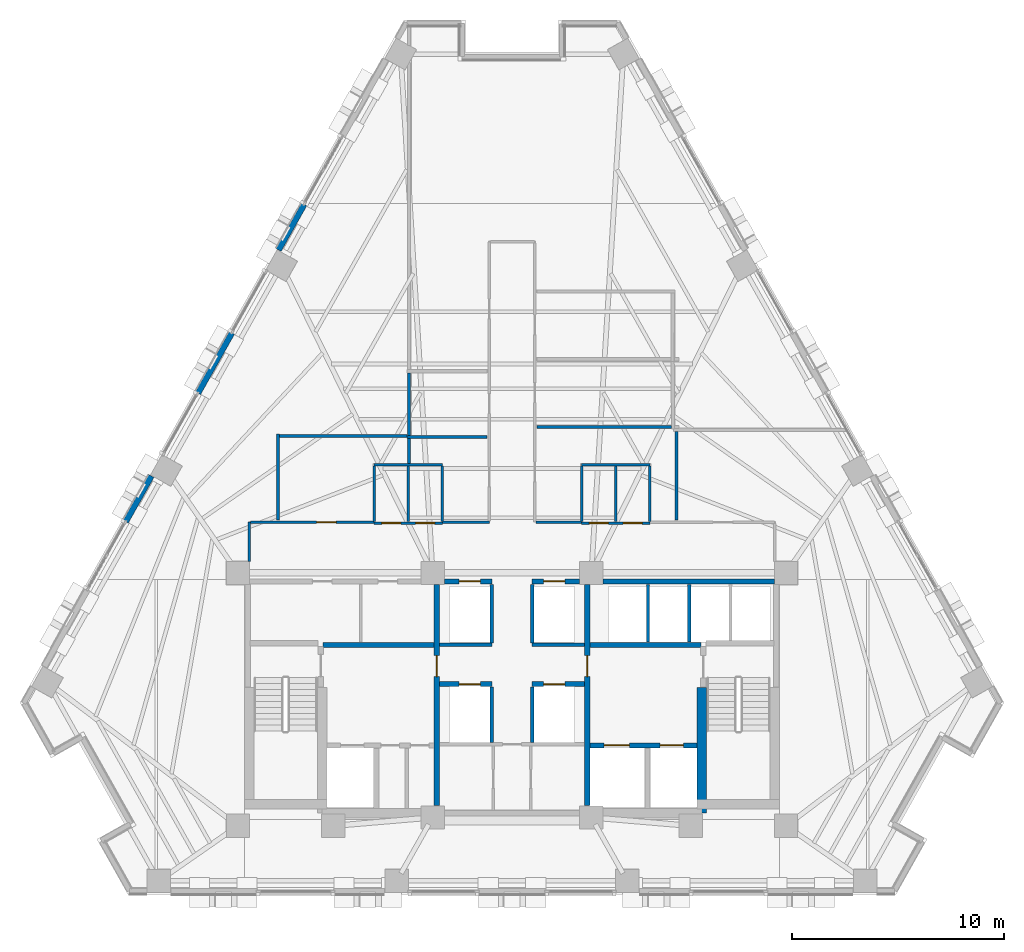
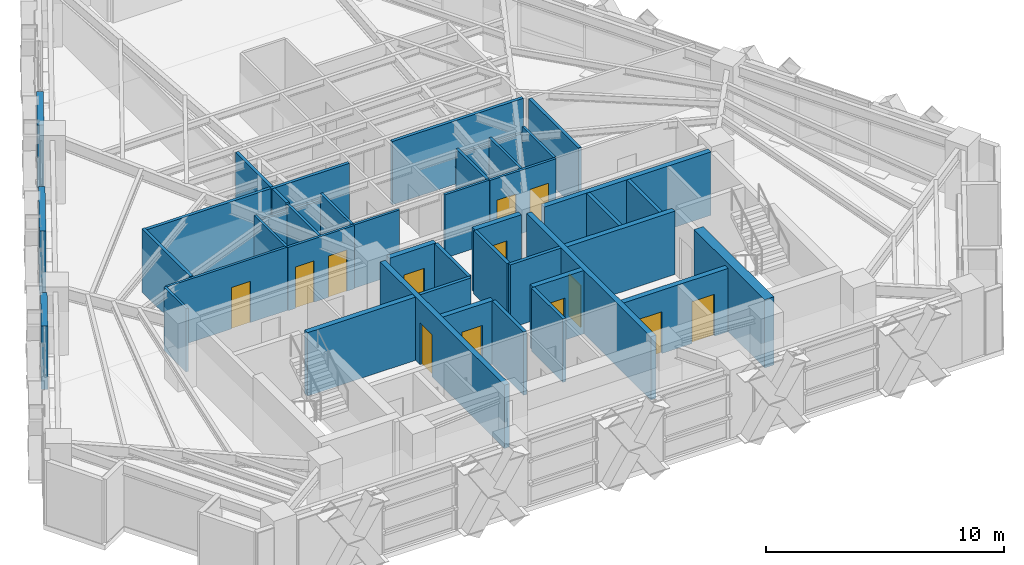
# One storey, part 8 of 14: 43 walls, 13 doors, 13 openings.
"""IFC4 building model written with IfcOpenShell, lengths in metres."""

from ifc_helpers import new_model, si_unit, direction, frame, frame_2d, origin, place, context, subcontext, project, spatial, rectangle, extrude, material, layer, layer_set, type_object, element, fill, save


model = new_model("IFC4")

# Units and contexts
model_context = context("Model", 3, precision=1e-05, world=origin(), true_north=direction((0.0, 1.0)))
body_context = subcontext(model_context, "Body", "Model", "MODEL_VIEW")
ifc_project = project(units=[si_unit("LENGTHUNIT", "METRE"), si_unit("AREAUNIT", "SQUARE_METRE"), si_unit("VOLUMEUNIT", "CUBIC_METRE"), si_unit("PLANEANGLEUNIT", "RADIAN"), si_unit("MASSUNIT", "GRAM", prefix="KILO")], contexts=[model_context])

# Site, building, storey
site_placement = place(None, origin())
site = spatial("IfcSite", under=ifc_project, at=site_placement, CompositionType="ELEMENT")
building_placement = place(site_placement, origin())
building = spatial("IfcBuilding", under=site, at=building_placement, Name="Quenlor Broadcast Tower", CompositionType="ELEMENT")
storey_placement = place(building_placement, frame((0.0, 0.0, 112.5)))
storey = spatial("IfcBuildingStorey", under=building, at=storey_placement, Name="L30", CompositionType="ELEMENT", Elevation=112.5)

# Walls
ifc_material_1 = material(Name="Acoustic Double Stud Gypsum Partition", Category="other")
ifc_layer_1 = layer(ifc_material_1, 0.14990234375)
ifc_layer_set_1 = layer_set([ifc_layer_1], Name="Broadcast Studio Acoustic Partition 150")
wall_type_1 = type_object("IfcWallType", Name="Broadcast Studio Acoustic Partition 150", PredefinedType="PARTITIONING", material=ifc_layer_set_1)
wall_1_placement = place(storey_placement, frame((7.527587890625, 2.10009765625, 0.0), z_axis=(0.0, 0.0, 1.0), x_axis=(-1.0, 0.0, 0.0)))
element("IfcWall", 1, at=wall_1_placement, inside=storey, type_object=wall_type_1, Name="L30 Interior Wall PW-DV-08S2", PredefinedType="PARTITIONING", context=body_context, shape_type="SweptSolid", body=[
    extrude(rectangle(XDim=6.34765625, YDim=0.14990234375, at=frame_2d((3.173828125, 0.0))), origin(), (0.0, 0.0, 1.0), 3.25),
])
wall_2_placement = place(storey_placement, frame((-1.179931640625, 1.6298828125, 0.0), z_axis=(0.0, 0.0, 1.0), x_axis=(-1.0, 0.0, 0.0)))
element("IfcWall", 2, at=wall_2_placement, inside=storey, type_object=wall_type_1, Name="L30 Interior Wall PW-DV-09", PredefinedType="PARTITIONING", context=body_context, shape_type="SweptSolid", body=[
    extrude(rectangle(XDim=3.780029296875, YDim=0.14990234375, at=frame_2d((1.89013671875, 0.0))), origin(), (0.0, 0.0, 1.0), 3.25),
])
wall_3_placement = place(storey_placement, frame((-4.860107421875, 0.3720703125, 0.0), z_axis=(0.0, 0.0, 1.0), x_axis=(0.0, 1.0, 0.0)))
element("IfcWall", 3, at=wall_3_placement, inside=storey, type_object=wall_type_1, Name="L30 Interior Wall PW-DV-10", PredefinedType="PARTITIONING", context=body_context, shape_type="SweptSolid", body=[
    extrude(rectangle(XDim=1.180908203125, YDim=0.14990234375, at=frame_2d((0.59033203125, 0.0))), origin(), (0.0, 0.0, 1.0), 3.25),
])
wall_4_placement = place(storey_placement, frame((-4.860107421875, 1.70703125, 0.0), z_axis=(0.0, 0.0, 1.0), x_axis=(0.0, 1.0, 0.0)))
element("IfcWall", 4, at=wall_4_placement, inside=storey, type_object=wall_type_1, Name="L30 Interior Wall PW-DV-10S2", PredefinedType="PARTITIONING", context=body_context, shape_type="SweptSolid", body=[
    extrude(rectangle(XDim=2.946044921875, YDim=0.14990234375, at=frame_2d((1.47314453125, 0.0))), origin(), (0.0, 0.0, 1.0), 3.25),
])
wall_5_placement = place(storey_placement, frame((7.780029296875, 1.887451171875, 0.0), z_axis=(0.0, 0.0, 1.0), x_axis=(0.0, -1.0, 0.0)))
element("IfcWall", 5, at=wall_5_placement, inside=storey, type_object=wall_type_1, Name="L30 Interior Wall PW-DV-11", PredefinedType="PARTITIONING", context=body_context, shape_type="SweptSolid", body=[
    extrude(rectangle(XDim=4.177490234375, YDim=0.14990234375, at=frame_2d((2.0888671875, 0.0))), origin(), (0.0, 0.0, 1.0), 3.25),
])
wall_6_placement = place(storey_placement, frame((-11.06005859375, -2.2900390625, 0.0), z_axis=(0.0, 0.0, 1.0), x_axis=(0.0, 1.0, 0.0)))
element("IfcWall", 6, at=wall_6_placement, inside=storey, type_object=wall_type_1, Name="L30 Interior Wall PW-DV-13", PredefinedType="PARTITIONING", context=body_context, shape_type="SweptSolid", body=[
    extrude(rectangle(XDim=4.06005859375, YDim=0.14990234375, at=frame_2d((2.030029296875, 0.0))), origin(), (0.0, 0.0, 1.0), 3.25),
])
wall_7_placement = place(storey_placement, frame((-10.98291015625, 1.669921875, 0.0), z_axis=(0.0, 0.0, 1.0), x_axis=(1.0, 0.0, 0.0)))
element("IfcWall", 7, at=wall_7_placement, inside=storey, type_object=wall_type_1, Name="L30 Interior Wall PW-DV-14", PredefinedType="PARTITIONING", context=body_context, shape_type="SweptSolid", body=[
    extrude(rectangle(XDim=6.02099609375, YDim=0.14990234375, at=frame_2d((3.010498046875, 0.0))), origin(), (0.0, 0.0, 1.0), 3.25),
])
ifc_material_2 = material(Name="Concrete C50/60", Category="concrete")
ifc_layer_2 = layer(ifc_material_2, 0.449951171875)
ifc_layer_set_2 = layer_set([ifc_layer_2], Name="Core Concrete C50/60 Shear Wall 450")
wall_type_2 = type_object("IfcWallType", Name="Core Concrete C50/60 Shear Wall 450", PredefinedType="SHEAR", material=ifc_layer_set_2)
wall_8_placement = place(storey_placement, frame((8.97509765625, -16.14990234375, 0.0), z_axis=(0.0, 0.0, 1.0), x_axis=(0.0, 1.0, 0.0)))
element("IfcWall", 8, at=wall_8_placement, inside=storey, type_object=wall_type_2, Name="L30 Core Shear Wall WI-E", PredefinedType="SHEAR", context=body_context, shape_type="SweptSolid", body=[
    extrude(rectangle(XDim=5.949951171875, YDim=0.449951171875, at=frame_2d((2.97509765625, 0.0))), origin(), (0.0, 0.0, 1.0), 3.5),
])

# Wall, openings, doors
ifc_material_3 = material(Name="Concrete C40/50", Category="concrete")
ifc_layer_3 = layer(ifc_material_3, 0.25)
ifc_layer_set_3 = layer_set([ifc_layer_3], Name="Fire Rated Concrete C40/50 Core Wall 250")
wall_type_3 = type_object("IfcWallType", Name="Fire Rated Concrete C40/50 Core Wall 250", PredefinedType="PARTITIONING", material=ifc_layer_set_3)
wall_9_placement = place(storey_placement, frame((3.679931640625, -12.949951171875, 0.0), z_axis=(0.0, 0.0, 1.0), x_axis=(1.0, 0.0, 0.0)))
wall_9 = element("IfcWall", 9, at=wall_9_placement, inside=storey, type_object=wall_type_3, Name="L30 Interior Wall CW-FFE-S", PredefinedType="PARTITIONING", context=body_context, shape_type="SweptSolid", body=[
    extrude(rectangle(XDim=5.068115234375, YDim=0.25, at=frame_2d((2.5341796875, 0.0))), origin(), (0.0, 0.0, 1.0), 3.25),
])
opening_1_placement = place(wall_9_placement, frame((3.320068359375, 0.0, 0.0)))
opening_1 = element("IfcOpeningElement", 10, at=opening_1_placement, cuts=wall_9, Name="Opening LD-FFL-2", PredefinedType="OPENING", context=body_context, shape_type="SweptSolid", body=[
    extrude(rectangle(XDim=1.10009765625, YDim=2.14990234375, at=frame_2d((0.550048828125, 1.074951171875))), frame((0.0, 0.135009765625, 0.0), z_axis=(0.0, -1.0, 0.0), x_axis=(1.0, 0.0, 0.0)), (0.0, 0.0, 1.0), 0.27001953125),
])
opening_2_placement = place(wall_9_placement, frame((0.669921875, 0.0, 0.0)))
opening_2 = element("IfcOpeningElement", 11, at=opening_2_placement, cuts=wall_9, Name="Opening LD-SVL-1", PredefinedType="OPENING", context=body_context, shape_type="SweptSolid", body=[
    extrude(rectangle(XDim=1.199951171875, YDim=2.14990234375, at=frame_2d((0.60009765625, 1.074951171875))), frame((0.0, 0.135009765625, 0.0), z_axis=(0.0, -1.0, 0.0), x_axis=(1.0, 0.0, 0.0)), (0.0, 0.0, 1.0), 0.27001953125),
])
ifc_material_4 = material(Name="Brushed Stainless Steel", Category="steel")
door_type_1 = type_object("IfcDoorType", Name="Emergency Lift Sliding Landing Door 1100x2150", OperationType="NOTDEFINED", PredefinedType="DOOR", material=ifc_material_4)
door_1_placement = place(opening_1_placement, origin())
door_1 = element("IfcDoor", 12, at=door_1_placement, inside=storey, type_object=door_type_1, Name="L30 Door LD-FFL-2", OperationType="SLIDING_TO_RIGHT", OverallHeight=2.14990234375, OverallWidth=1.10009765625, PredefinedType="DOOR", context=body_context, shape_type="SweptSolid", body=[
    extrude(rectangle(XDim=1.10009765625, YDim=2.14990234375, at=frame_2d((0.550048828125, 1.074951171875))), frame((0.0, 0.02490234375, 0.0), z_axis=(0.0, -1.0, 0.0), x_axis=(1.0, 0.0, 0.0)), (0.0, 0.0, 1.0), 0.050048828125),
])
fill(opening_1, door_1)
ifc_material_5 = material(Name="Brushed Stainless Steel", Category="steel")
door_type_2 = type_object("IfcDoorType", Name="Goods Lift Sliding Landing Door 1200x2150", OperationType="NOTDEFINED", PredefinedType="DOOR", material=ifc_material_5)
door_2_placement = place(opening_2_placement, origin())
door_2 = element("IfcDoor", 13, at=door_2_placement, inside=storey, type_object=door_type_2, Name="L30 Door LD-SVL-1", OperationType="SLIDING_TO_LEFT", OverallHeight=2.14990234375, OverallWidth=1.199951171875, PredefinedType="DOOR", context=body_context, shape_type="SweptSolid", body=[
    extrude(rectangle(XDim=1.199951171875, YDim=2.14990234375, at=frame_2d((0.60009765625, 1.074951171875))), frame((0.0, 0.02490234375, 0.0), z_axis=(0.0, -1.0, 0.0), x_axis=(1.0, 0.0, 0.0)), (0.0, 0.0, 1.0), 0.050048828125),
])
fill(opening_2, door_2)

# Walls
for number, where, z_axis, x_axis, name in (
    (14, (-8.919921875, -8.199951171875, 0.0), (0.0, 0.0, 1.0), (1.0, 0.0, 0.0), "L30 Interior Wall CW-FFW-N"),
    (15, (3.679931640625, -8.199951171875, 0.0), (0.0, 0.0, 1.0), (1.0, 0.0, 0.0), "L30 Interior Wall CW-FFE-N"),
):
    element("IfcWall", number, at=place(storey_placement, frame(where, z_axis=z_axis, x_axis=x_axis)), inside=storey, type_object=wall_type_3, Name=name, PredefinedType="PARTITIONING", context=body_context, shape_type="SweptSolid", body=[
        extrude(rectangle(XDim=5.239990234375, YDim=0.25, at=frame_2d((2.6201171875, 0.0))), origin(), (0.0, 0.0, 1.0), 3.25),
    ])

# Wall, opening, door
wall_10_placement = place(storey_placement, frame((-3.550048828125, -15.798095703125, 0.0), z_axis=(0.0, 0.0, 1.0), x_axis=(0.0, 1.0, 0.0)))
wall_10 = element("IfcWall", 16, at=wall_10_placement, inside=storey, type_object=wall_type_3, Name="L30 Interior Wall CW-FFW-E", PredefinedType="PARTITIONING", context=body_context, shape_type="SweptSolid", body=[
    extrude(rectangle(XDim=10.446044921875, YDim=0.25, at=frame_2d((5.22314453125, 0.0))), origin(), (0.0, 0.0, 1.0), 3.25),
])
opening_3_placement = place(wall_10_placement, frame((6.097900390625, 0.0, 0.0)))
opening_3 = element("IfcOpeningElement", 17, at=opening_3_placement, cuts=wall_10, Name="Opening FD-2", PredefinedType="OPENING", context=body_context, shape_type="SweptSolid", body=[
    extrude(rectangle(XDim=1.0, YDim=2.14990234375, at=frame_2d((0.5, 1.074951171875))), frame((0.0, 0.135009765625, 0.0), z_axis=(0.0, -1.0, 0.0), x_axis=(1.0, 0.0, 0.0)), (0.0, 0.0, 1.0), 0.27001953125),
])
ifc_material_6 = material(Name="Fire Rated Glazed Steel Door", Category="steel")
door_type_3 = type_object("IfcDoorType", Name="Firefighting Lobby Smoke Door 1000x2150", OperationType="NOTDEFINED", PredefinedType="DOOR", material=ifc_material_6)
door_3_placement = place(opening_3_placement, origin())
door_3 = element("IfcDoor", 18, at=door_3_placement, inside=storey, type_object=door_type_3, Name="L30 Door DR-FFLW", OperationType="SINGLE_SWING_RIGHT", OverallHeight=2.14990234375, OverallWidth=1.0, PredefinedType="DOOR", context=body_context, shape_type="SweptSolid", body=[
    extrude(rectangle(XDim=1.0, YDim=2.14990234375, at=frame_2d((0.5, 1.074951171875))), frame((0.0, 0.02490234375, 0.0), z_axis=(0.0, -1.0, 0.0), x_axis=(1.0, 0.0, 0.0)), (0.0, 0.0, 1.0), 0.050048828125),
])
fill(opening_3, door_3)

wall_11_placement = place(storey_placement, frame((3.550048828125, -15.798095703125, 0.0), z_axis=(0.0, 0.0, 1.0), x_axis=(0.0, 1.0, 0.0)))
wall_11 = element("IfcWall", 19, at=wall_11_placement, inside=storey, type_object=wall_type_3, Name="L30 Interior Wall CW-FFE-W", PredefinedType="PARTITIONING", context=body_context, shape_type="SweptSolid", body=[
    extrude(rectangle(XDim=10.446044921875, YDim=0.25, at=frame_2d((5.22314453125, 0.0))), origin(), (0.0, 0.0, 1.0), 3.25),
])
opening_4_placement = place(wall_11_placement, frame((6.097900390625, 0.0, 0.0)))
opening_4 = element("IfcOpeningElement", 20, at=opening_4_placement, cuts=wall_11, Name="Opening FD-2", PredefinedType="OPENING", context=body_context, shape_type="SweptSolid", body=[
    extrude(rectangle(XDim=1.0, YDim=2.14990234375, at=frame_2d((0.5, 1.074951171875))), frame((0.0, 0.135009765625, 0.0), z_axis=(0.0, -1.0, 0.0), x_axis=(1.0, 0.0, 0.0)), (0.0, 0.0, 1.0), 0.27001953125),
])
door_4_placement = place(opening_4_placement, origin())
door_4 = element("IfcDoor", 21, at=door_4_placement, inside=storey, type_object=door_type_3, Name="L30 Door DR-FFLE", OperationType="SINGLE_SWING_LEFT", OverallHeight=2.14990234375, OverallWidth=1.0, PredefinedType="DOOR", context=body_context, shape_type="SweptSolid", body=[
    extrude(rectangle(XDim=1.0, YDim=2.14990234375, at=frame_2d((0.5, 1.074951171875))), frame((0.0, 0.02490234375, 0.0), z_axis=(0.0, -1.0, 0.0), x_axis=(1.0, 0.0, 0.0)), (0.0, 0.0, 1.0), 0.050048828125),
])
fill(opening_4, door_4)

# Wall
wall_12_placement = place(storey_placement, frame((4.302001953125, -5.199951171875, 0.0), z_axis=(0.0, 0.0, 1.0), x_axis=(1.0, 0.0, 0.0)))
element("IfcWall", 22, at=wall_12_placement, inside=storey, type_object=wall_type_3, Name="L30 Interior Wall CW-N-E", PredefinedType="PARTITIONING", context=body_context, shape_type="SweptSolid", body=[
    extrude(rectangle(XDim=8.095947265625, YDim=0.25, at=frame_2d((4.0478515625, 0.0))), origin(), (0.0, 0.0, 1.0), 3.25),
])

# Wall, opening, door
wall_13_placement = place(storey_placement, frame((-3.197998046875, -5.199951171875, 0.0), z_axis=(0.0, 0.0, 1.0), x_axis=(1.0, 0.0, 0.0)))
wall_13 = element("IfcWall", 23, at=wall_13_placement, inside=storey, type_object=wall_type_3, Name="L30 Interior Wall CW-N-M1", PredefinedType="PARTITIONING", context=body_context, shape_type="SweptSolid", body=[
    extrude(rectangle(XDim=2.248046875, YDim=0.25, at=frame_2d((1.1240234375, 0.0))), origin(), (0.0, 0.0, 1.0), 3.25),
])
opening_5_placement = place(wall_13_placement, frame((0.697998046875, 0.0, 0.0)))
opening_5 = element("IfcOpeningElement", 24, at=opening_5_placement, cuts=wall_13, Name="Opening LD-PL-M1", PredefinedType="OPENING", context=body_context, shape_type="SweptSolid", body=[
    extrude(rectangle(XDim=1.0, YDim=2.14990234375, at=frame_2d((0.5, 1.074951171875))), frame((0.0, 0.135009765625, 0.0), z_axis=(0.0, -1.0, 0.0), x_axis=(1.0, 0.0, 0.0)), (0.0, 0.0, 1.0), 0.27001953125),
])
ifc_material_7 = material(Name="Brushed Stainless Steel", Category="steel")
door_type_4 = type_object("IfcDoorType", Name="Passenger Lift Sliding Landing Door 1000x2150", OperationType="NOTDEFINED", PredefinedType="DOOR", material=ifc_material_7)
door_5_placement = place(opening_5_placement, origin())
door_5 = element("IfcDoor", 25, at=door_5_placement, inside=storey, type_object=door_type_4, Name="L30 Door LD-PL-M1", OperationType="SLIDING_TO_LEFT", OverallHeight=2.14990234375, OverallWidth=1.0, PredefinedType="DOOR", context=body_context, shape_type="SweptSolid", body=[
    extrude(rectangle(XDim=1.0, YDim=2.14990234375, at=frame_2d((0.5, 1.074951171875))), frame((0.0, 0.02490234375, 0.0), z_axis=(0.0, -1.0, 0.0), x_axis=(1.0, 0.0, 0.0)), (0.0, 0.0, 1.0), 0.050048828125),
])
fill(opening_5, door_5)

wall_14_placement = place(storey_placement, frame((0.949951171875, -5.199951171875, 0.0), z_axis=(0.0, 0.0, 1.0), x_axis=(1.0, 0.0, 0.0)))
wall_14 = element("IfcWall", 26, at=wall_14_placement, inside=storey, type_object=wall_type_3, Name="L30 Interior Wall CW-N-M2", PredefinedType="PARTITIONING", context=body_context, shape_type="SweptSolid", body=[
    extrude(rectangle(XDim=2.248046875, YDim=0.25, at=frame_2d((1.1240234375, 0.0))), origin(), (0.0, 0.0, 1.0), 3.25),
])
opening_6_placement = place(wall_14_placement, frame((0.550048828125, 0.0, 0.0)))
opening_6 = element("IfcOpeningElement", 27, at=opening_6_placement, cuts=wall_14, Name="Opening LD-PL-M2", PredefinedType="OPENING", context=body_context, shape_type="SweptSolid", body=[
    extrude(rectangle(XDim=1.0, YDim=2.14990234375, at=frame_2d((0.5, 1.074951171875))), frame((0.0, 0.135009765625, 0.0), z_axis=(0.0, -1.0, 0.0), x_axis=(1.0, 0.0, 0.0)), (0.0, 0.0, 1.0), 0.27001953125),
])
door_6_placement = place(opening_6_placement, origin())
door_6 = element("IfcDoor", 28, at=door_6_placement, inside=storey, type_object=door_type_4, Name="L30 Door LD-PL-M2", OperationType="SLIDING_TO_RIGHT", OverallHeight=2.14990234375, OverallWidth=1.0, PredefinedType="DOOR", context=body_context, shape_type="SweptSolid", body=[
    extrude(rectangle(XDim=1.0, YDim=2.14990234375, at=frame_2d((0.5, 1.074951171875))), frame((0.0, 0.02490234375, 0.0), z_axis=(0.0, -1.0, 0.0), x_axis=(1.0, 0.0, 0.0)), (0.0, 0.0, 1.0), 0.050048828125),
])
fill(opening_6, door_6)

wall_15_placement = place(storey_placement, frame((-3.419921875, -10.050048828125, 0.0), z_axis=(0.0, 0.0, 1.0), x_axis=(1.0, 0.0, 0.0)))
wall_15 = element("IfcWall", 29, at=wall_15_placement, inside=storey, type_object=wall_type_3, Name="L30 Interior Wall CW-MS-N1", PredefinedType="PARTITIONING", context=body_context, shape_type="SweptSolid", body=[
    extrude(rectangle(XDim=2.469970703125, YDim=0.25, at=frame_2d((1.23486328125, 0.0))), origin(), (0.0, 0.0, 1.0), 3.25),
])
opening_7_placement = place(wall_15_placement, frame((0.919921875, 0.0, 0.0)))
opening_7 = element("IfcOpeningElement", 30, at=opening_7_placement, cuts=wall_15, Name="Opening LD-PL-M3", PredefinedType="OPENING", context=body_context, shape_type="SweptSolid", body=[
    extrude(rectangle(XDim=1.0, YDim=2.14990234375, at=frame_2d((0.5, 1.074951171875))), frame((0.0, 0.135009765625, 0.0), z_axis=(0.0, -1.0, 0.0), x_axis=(1.0, 0.0, 0.0)), (0.0, 0.0, 1.0), 0.27001953125),
])
door_7_placement = place(opening_7_placement, origin())
door_7 = element("IfcDoor", 31, at=door_7_placement, inside=storey, type_object=door_type_4, Name="L30 Door LD-PL-M3", OperationType="SLIDING_TO_LEFT", OverallHeight=2.14990234375, OverallWidth=1.0, PredefinedType="DOOR", context=body_context, shape_type="SweptSolid", body=[
    extrude(rectangle(XDim=1.0, YDim=2.14990234375, at=frame_2d((0.5, 1.074951171875))), frame((0.0, 0.02490234375, 0.0), z_axis=(0.0, -1.0, 0.0), x_axis=(1.0, 0.0, 0.0)), (0.0, 0.0, 1.0), 0.050048828125),
])
fill(opening_7, door_7)

wall_16_placement = place(storey_placement, frame((0.949951171875, -10.050048828125, 0.0), z_axis=(0.0, 0.0, 1.0), x_axis=(1.0, 0.0, 0.0)))
wall_16 = element("IfcWall", 32, at=wall_16_placement, inside=storey, type_object=wall_type_3, Name="L30 Interior Wall CW-MS-N2", PredefinedType="PARTITIONING", context=body_context, shape_type="SweptSolid", body=[
    extrude(rectangle(XDim=2.469970703125, YDim=0.25, at=frame_2d((1.23486328125, 0.0))), origin(), (0.0, 0.0, 1.0), 3.25),
])
opening_8_placement = place(wall_16_placement, frame((0.550048828125, 0.0, 0.0)))
opening_8 = element("IfcOpeningElement", 33, at=opening_8_placement, cuts=wall_16, Name="Opening LD-PL-M4", PredefinedType="OPENING", context=body_context, shape_type="SweptSolid", body=[
    extrude(rectangle(XDim=1.0, YDim=2.14990234375, at=frame_2d((0.5, 1.074951171875))), frame((0.0, 0.135009765625, 0.0), z_axis=(0.0, -1.0, 0.0), x_axis=(1.0, 0.0, 0.0)), (0.0, 0.0, 1.0), 0.27001953125),
])
door_8_placement = place(opening_8_placement, origin())
door_8 = element("IfcDoor", 34, at=door_8_placement, inside=storey, type_object=door_type_4, Name="L30 Door LD-PL-M4", OperationType="SLIDING_TO_RIGHT", OverallHeight=2.14990234375, OverallWidth=1.0, PredefinedType="DOOR", context=body_context, shape_type="SweptSolid", body=[
    extrude(rectangle(XDim=1.0, YDim=2.14990234375, at=frame_2d((0.5, 1.074951171875))), frame((0.0, 0.02490234375, 0.0), z_axis=(0.0, -1.0, 0.0), x_axis=(1.0, 0.0, 0.0)), (0.0, 0.0, 1.0), 0.050048828125),
])
fill(opening_8, door_8)

# Walls
ifc_material_8 = material(Name="Gypsum Fireboard Partition", Category="other")
ifc_layer_4 = layer(ifc_material_8, 0.159912109375)
ifc_layer_set_4 = layer_set([ifc_layer_4], Name="Fire Rated Shaft and Corridor Partition 160")
wall_type_4 = type_object("IfcWallType", Name="Fire Rated Shaft and Corridor Partition 160", PredefinedType="PARTITIONING", material=ifc_layer_set_4)
for number, where, z_axis, x_axis, name in (
    (35, (6.425048828125, -8.072998046875, 0.0), (0.0, 0.0, 1.0), (0.0, 1.0, 0.0), "L30 Interior Wall CW-PLH-D1"),
    (36, (8.375, -8.072998046875, 0.0), (0.0, 0.0, 1.0), (0.0, 1.0, 0.0), "L30 Interior Wall CW-PLH-D2"),
):
    element("IfcWall", number, at=place(storey_placement, frame(where, z_axis=z_axis, x_axis=x_axis)), inside=storey, type_object=wall_type_4, Name=name, PredefinedType="PARTITIONING", context=body_context, shape_type="SweptSolid", body=[
        extrude(rectangle(XDim=2.73291015625, YDim=0.159912109375, at=frame_2d((1.366455078125, 0.0))), origin(), (0.0, 0.0, 1.0), 3.25),
    ])
for number, where, z_axis, x_axis, name in (
    (37, (-0.949951171875, -8.1201171875, 0.0), (0.0, 0.0, 1.0), (0.0, 1.0, 0.0), "L30 Interior Wall CW-CCRP-W"),
    (38, (0.949951171875, -8.1201171875, 0.0), (0.0, 0.0, 1.0), (0.0, 1.0, 0.0), "L30 Interior Wall CW-CCRP-E"),
):
    element("IfcWall", number, at=place(storey_placement, frame(where, z_axis=z_axis, x_axis=x_axis)), inside=storey, type_object=wall_type_4, Name=name, PredefinedType="PARTITIONING", context=body_context, shape_type="SweptSolid", body=[
        extrude(rectangle(XDim=2.780029296875, YDim=0.159912109375, at=frame_2d((1.39013671875, 0.0))), origin(), (0.0, 0.0, 1.0), 3.25),
    ])
for number, where, z_axis, x_axis, name in (
    (39, (-3.419921875, -8.199951171875, 0.0), (0.0, 0.0, 1.0), (1.0, 0.0, 0.0), "L30 Interior Wall CW-M-BACK1"),
    (40, (0.949951171875, -8.199951171875, 0.0), (0.0, 0.0, 1.0), (1.0, 0.0, 0.0), "L30 Interior Wall CW-M-BACK2"),
):
    element("IfcWall", number, at=place(storey_placement, frame(where, z_axis=z_axis, x_axis=x_axis)), inside=storey, type_object=wall_type_4, Name=name, PredefinedType="PARTITIONING", context=body_context, shape_type="SweptSolid", body=[
        extrude(rectangle(XDim=2.469970703125, YDim=0.159912109375, at=frame_2d((1.23486328125, 0.0))), origin(), (0.0, 0.0, 1.0), 3.25),
    ])
for number, where, z_axis, x_axis, name in (
    (41, (-0.949951171875, -12.818115234375, 0.0), (0.0, 0.0, 1.0), (0.0, 1.0, 0.0), "L30 Interior Wall CW-MS-W"),
    (42, (0.949951171875, -12.818115234375, 0.0), (0.0, 0.0, 1.0), (0.0, 1.0, 0.0), "L30 Interior Wall CW-MS-E"),
):
    element("IfcWall", number, at=place(storey_placement, frame(where, z_axis=z_axis, x_axis=x_axis)), inside=storey, type_object=wall_type_4, Name=name, PredefinedType="PARTITIONING", context=body_context, shape_type="SweptSolid", body=[
        extrude(rectangle(XDim=2.63818359375, YDim=0.159912109375, at=frame_2d((1.319091796875, 0.0))), origin(), (0.0, 0.0, 1.0), 3.25),
    ])

# Wall, openings, doors
ifc_material_9 = material(Name="Gypsum Plasterboard Partition", Category="other")
ifc_layer_5 = layer(ifc_material_9, 0.1201171875)
ifc_layer_set_5 = layer_set([ifc_layer_5], Name="Standard Office Partition 120")
wall_type_5 = type_object("IfcWallType", Name="Standard Office Partition 120", PredefinedType="PARTITIONING", material=ifc_layer_set_5)
wall_17_placement = place(storey_placement, frame((-6.510009765625, -2.43994140625, 0.0), z_axis=(0.0, 0.0, 1.0), x_axis=(1.0, 0.0, 0.0)))
wall_17 = element("IfcWall", 43, at=wall_17_placement, inside=storey, type_object=wall_type_5, Name="L30 Interior Wall PW-WCW-S", PredefinedType="PARTITIONING", context=body_context, shape_type="SweptSolid", body=[
    extrude(rectangle(XDim=3.219970703125, YDim=0.1201171875, at=frame_2d((1.60986328125, 0.0))), origin(), (0.0, 0.0, 1.0), 3.25),
])
opening_9_placement = place(wall_17_placement, frame((0.360107421875, 0.0, 0.0)))
opening_9 = element("IfcOpeningElement", 44, at=opening_9_placement, cuts=wall_17, Name="Opening ID-3", PredefinedType="OPENING", context=body_context, shape_type="SweptSolid", body=[
    extrude(rectangle(XDim=0.89990234375, YDim=2.1201171875, at=frame_2d((0.449951171875, 1.06005859375))), frame((0.0, 0.070068359375, 0.0), z_axis=(0.0, -1.0, 0.0), x_axis=(1.0, 0.0, 0.0)), (0.0, 0.0, 1.0), 0.14013671875),
])
opening_10_placement = place(wall_17_placement, frame((1.9599609375, 0.0, 0.0)))
opening_10 = element("IfcOpeningElement", 45, at=opening_10_placement, cuts=wall_17, Name="Opening ID-3", PredefinedType="OPENING", context=body_context, shape_type="SweptSolid", body=[
    extrude(rectangle(XDim=0.89990234375, YDim=2.1201171875, at=frame_2d((0.449951171875, 1.06005859375))), frame((0.0, 0.070068359375, 0.0), z_axis=(0.0, -1.0, 0.0), x_axis=(1.0, 0.0, 0.0)), (0.0, 0.0, 1.0), 0.14013671875),
])
ifc_material_10 = material(Name="Moisture Resistant Timber Oak", Category="wood")
door_type_5 = type_object("IfcDoorType", Name="Washroom Privacy Door 900x2120", OperationType="NOTDEFINED", PredefinedType="DOOR", material=ifc_material_10)
door_9_placement = place(opening_9_placement, origin())
door_9 = element("IfcDoor", 46, at=door_9_placement, inside=storey, type_object=door_type_5, Name="L30 Door DR-AWC", OperationType="SINGLE_SWING_LEFT", OverallHeight=2.1201171875, OverallWidth=0.89990234375, PredefinedType="DOOR", context=body_context, shape_type="SweptSolid", body=[
    extrude(rectangle(XDim=0.89990234375, YDim=2.1201171875, at=frame_2d((0.449951171875, 1.06005859375))), frame((0.0, 0.02490234375, 0.0), z_axis=(0.0, -1.0, 0.0), x_axis=(1.0, 0.0, 0.0)), (0.0, 0.0, 1.0), 0.050048828125),
])
fill(opening_9, door_9)
door_10_placement = place(opening_10_placement, origin())
door_10 = element("IfcDoor", 47, at=door_10_placement, inside=storey, type_object=door_type_5, Name="L30 Door DR-SHW", OperationType="SINGLE_SWING_RIGHT", OverallHeight=2.1201171875, OverallWidth=0.89990234375, PredefinedType="DOOR", context=body_context, shape_type="SweptSolid", body=[
    extrude(rectangle(XDim=0.89990234375, YDim=2.1201171875, at=frame_2d((0.449951171875, 1.06005859375))), frame((0.0, 0.02490234375, 0.0), z_axis=(0.0, -1.0, 0.0), x_axis=(1.0, 0.0, 0.0)), (0.0, 0.0, 1.0), 0.050048828125),
])
fill(opening_10, door_10)

# Walls
wall_18_placement = place(storey_placement, frame((-6.510009765625, 0.31005859375, 0.0), z_axis=(0.0, 0.0, 1.0), x_axis=(1.0, 0.0, 0.0)))
element("IfcWall", 48, at=wall_18_placement, inside=storey, type_object=wall_type_5, Name="L30 Interior Wall PW-WCW-N", PredefinedType="PARTITIONING", context=body_context, shape_type="SweptSolid", body=[
    extrude(rectangle(XDim=3.219970703125, YDim=0.1201171875, at=frame_2d((1.60986328125, 0.0))), origin(), (0.0, 0.0, 1.0), 2.891357421875),
])
for number, where, z_axis, x_axis, name in (
    (49, (-6.510009765625, -2.3779296875, 0.0), (0.0, 0.0, 1.0), (0.0, 1.0, 0.0), "L30 Interior Wall PW-WCW-W"),
    (50, (-4.89990234375, -2.3779296875, 0.0), (0.0, 0.0, 1.0), (0.0, 1.0, 0.0), "L30 Interior Wall PW-WCW-M"),
    (51, (-3.2900390625, -2.3779296875, 0.0), (0.0, 0.0, 1.0), (0.0, 1.0, 0.0), "L30 Interior Wall PW-WCW-E"),
):
    element("IfcWall", number, at=place(storey_placement, frame(where, z_axis=z_axis, x_axis=x_axis)), inside=storey, type_object=wall_type_5, Name=name, PredefinedType="PARTITIONING", context=body_context, shape_type="SweptSolid", body=[
        extrude(rectangle(XDim=2.6259765625, YDim=0.1201171875, at=frame_2d((1.31298828125, 0.0))), origin(), (0.0, 0.0, 1.0), 3.25),
    ])

# Wall, openings, doors
wall_19_placement = place(storey_placement, frame((3.2900390625, -2.43994140625, 0.0), z_axis=(0.0, 0.0, 1.0), x_axis=(1.0, 0.0, 0.0)))
wall_19 = element("IfcWall", 52, at=wall_19_placement, inside=storey, type_object=wall_type_5, Name="L30 Interior Wall PW-WCE-S", PredefinedType="PARTITIONING", context=body_context, shape_type="SweptSolid", body=[
    extrude(rectangle(XDim=3.219970703125, YDim=0.1201171875, at=frame_2d((1.60986328125, 0.0))), origin(), (0.0, 0.0, 1.0), 3.25),
])
opening_11_placement = place(wall_19_placement, frame((0.360107421875, 0.0, 0.0)))
opening_11 = element("IfcOpeningElement", 53, at=opening_11_placement, cuts=wall_19, Name="Opening ID-3", PredefinedType="OPENING", context=body_context, shape_type="SweptSolid", body=[
    extrude(rectangle(XDim=0.89990234375, YDim=2.1201171875, at=frame_2d((0.449951171875, 1.06005859375))), frame((0.0, 0.070068359375, 0.0), z_axis=(0.0, -1.0, 0.0), x_axis=(1.0, 0.0, 0.0)), (0.0, 0.0, 1.0), 0.14013671875),
])
opening_12_placement = place(wall_19_placement, frame((1.9599609375, 0.0, 0.0)))
opening_12 = element("IfcOpeningElement", 54, at=opening_12_placement, cuts=wall_19, Name="Opening ID-3", PredefinedType="OPENING", context=body_context, shape_type="SweptSolid", body=[
    extrude(rectangle(XDim=0.89990234375, YDim=2.1201171875, at=frame_2d((0.449951171875, 1.06005859375))), frame((0.0, 0.070068359375, 0.0), z_axis=(0.0, -1.0, 0.0), x_axis=(1.0, 0.0, 0.0)), (0.0, 0.0, 1.0), 0.14013671875),
])
door_11_placement = place(opening_11_placement, origin())
door_11 = element("IfcDoor", 55, at=door_11_placement, inside=storey, type_object=door_type_5, Name="L30 Door DR-MWC", OperationType="SINGLE_SWING_LEFT", OverallHeight=2.1201171875, OverallWidth=0.89990234375, PredefinedType="DOOR", context=body_context, shape_type="SweptSolid", body=[
    extrude(rectangle(XDim=0.89990234375, YDim=2.1201171875, at=frame_2d((0.449951171875, 1.06005859375))), frame((0.0, 0.02490234375, 0.0), z_axis=(0.0, -1.0, 0.0), x_axis=(1.0, 0.0, 0.0)), (0.0, 0.0, 1.0), 0.050048828125),
])
fill(opening_11, door_11)
door_12_placement = place(opening_12_placement, origin())
door_12 = element("IfcDoor", 56, at=door_12_placement, inside=storey, type_object=door_type_5, Name="L30 Door DR-FWC", OperationType="SINGLE_SWING_RIGHT", OverallHeight=2.1201171875, OverallWidth=0.89990234375, PredefinedType="DOOR", context=body_context, shape_type="SweptSolid", body=[
    extrude(rectangle(XDim=0.89990234375, YDim=2.1201171875, at=frame_2d((0.449951171875, 1.06005859375))), frame((0.0, 0.02490234375, 0.0), z_axis=(0.0, -1.0, 0.0), x_axis=(1.0, 0.0, 0.0)), (0.0, 0.0, 1.0), 0.050048828125),
])
fill(opening_12, door_12)

# Walls
wall_20_placement = place(storey_placement, frame((3.2900390625, 0.31005859375, 0.0), z_axis=(0.0, 0.0, 1.0), x_axis=(1.0, 0.0, 0.0)))
element("IfcWall", 57, at=wall_20_placement, inside=storey, type_object=wall_type_5, Name="L30 Interior Wall PW-WCE-N", PredefinedType="PARTITIONING", context=body_context, shape_type="SweptSolid", body=[
    extrude(rectangle(XDim=3.219970703125, YDim=0.1201171875, at=frame_2d((1.60986328125, 0.0))), origin(), (0.0, 0.0, 1.0), 2.891357421875),
])
for number, where, z_axis, x_axis, name in (
    (58, (3.2900390625, -2.3779296875, 0.0), (0.0, 0.0, 1.0), (0.0, 1.0, 0.0), "L30 Interior Wall PW-WCE-W"),
    (59, (4.89990234375, -2.3779296875, 0.0), (0.0, 0.0, 1.0), (0.0, 1.0, 0.0), "L30 Interior Wall PW-WCE-M"),
    (60, (6.510009765625, -2.3779296875, 0.0), (0.0, 0.0, 1.0), (0.0, 1.0, 0.0), "L30 Interior Wall PW-WCE-E"),
):
    element("IfcWall", number, at=place(storey_placement, frame(where, z_axis=z_axis, x_axis=x_axis)), inside=storey, type_object=wall_type_5, Name=name, PredefinedType="PARTITIONING", context=body_context, shape_type="SweptSolid", body=[
        extrude(rectangle(XDim=2.6259765625, YDim=0.1201171875, at=frame_2d((1.31298828125, 0.0))), origin(), (0.0, 0.0, 1.0), 3.25),
    ])
wall_21_placement = place(storey_placement, frame((-12.409912109375, -4.248046875, 0.0), z_axis=(0.0, 0.0, 1.0), x_axis=(0.0, 1.0, 0.0)))
element("IfcWall", 61, at=wall_21_placement, inside=storey, type_object=wall_type_5, Name="L30 Interior Wall PW-CR-01", PredefinedType="PARTITIONING", context=body_context, shape_type="SweptSolid", body=[
    extrude(rectangle(XDim=1.84814453125, YDim=0.1201171875, at=frame_2d((0.924072265625, 0.0))), origin(), (0.0, 0.0, 1.0), 3.25),
])

# Wall, opening, door
wall_22_placement = place(storey_placement, frame((-12.347900390625, -2.39990234375, 0.0), z_axis=(0.0, 0.0, 1.0), x_axis=(1.0, 0.0, 0.0)))
wall_22 = element("IfcWall", 62, at=wall_22_placement, inside=storey, type_object=wall_type_5, Name="L30 Interior Wall PW-CR-02", PredefinedType="PARTITIONING", context=body_context, shape_type="SweptSolid", body=[
    extrude(rectangle(XDim=5.8359375, YDim=0.1201171875, at=frame_2d((2.91796875, 0.0))), origin(), (0.0, 0.0, 1.0), 3.25),
])
opening_13_placement = place(wall_22_placement, frame((3.113037109375, 0.0, 0.0)))
opening_13 = element("IfcOpeningElement", 63, at=opening_13_placement, cuts=wall_22, Name="Opening ID-1", PredefinedType="OPENING", context=body_context, shape_type="SweptSolid", body=[
    extrude(rectangle(XDim=0.919921875, YDim=2.1201171875, at=frame_2d((0.4599609375, 1.06005859375))), frame((0.0, 0.070068359375, 0.0), z_axis=(0.0, -1.0, 0.0), x_axis=(1.0, 0.0, 0.0)), (0.0, 0.0, 1.0), 0.14013671875),
])
ifc_material_11 = material(Name="Solid Core Timber Oak", Category="wood")
door_type_6 = type_object("IfcDoorType", Name="Single Leaf Timber Office Door 920x2120", OperationType="NOTDEFINED", PredefinedType="DOOR", material=ifc_material_11)
door_13_placement = place(opening_13_placement, origin())
door_13 = element("IfcDoor", 64, at=door_13_placement, inside=storey, type_object=door_type_6, Name="L30 Door DR-RM07", OperationType="SINGLE_SWING_RIGHT", OverallHeight=2.1201171875, OverallWidth=0.919921875, PredefinedType="DOOR", context=body_context, shape_type="SweptSolid", body=[
    extrude(rectangle(XDim=0.919921875, YDim=2.1201171875, at=frame_2d((0.4599609375, 1.06005859375))), frame((0.0, 0.02490234375, 0.0), z_axis=(0.0, -1.0, 0.0), x_axis=(1.0, 0.0, 0.0)), (0.0, 0.0, 1.0), 0.050048828125),
])
fill(opening_13, door_13)

# Walls
wall_23_placement = place(storey_placement, frame((-3.2880859375, -2.39990234375, 0.0), z_axis=(0.0, 0.0, 1.0), x_axis=(1.0, 0.0, 0.0)))
element("IfcWall", 65, at=wall_23_placement, inside=storey, type_object=wall_type_5, Name="L30 Interior Wall PW-CR-02S2", PredefinedType="PARTITIONING", context=body_context, shape_type="SweptSolid", body=[
    extrude(rectangle(XDim=2.218017578125, YDim=0.1201171875, at=frame_2d((1.10888671875, 0.0))), origin(), (0.0, 0.0, 1.0), 3.25),
])
wall_24_placement = place(storey_placement, frame((1.132080078125, -2.39990234375, 0.0), z_axis=(0.0, 0.0, 1.0), x_axis=(1.0, 0.0, 0.0)))
element("IfcWall", 66, at=wall_24_placement, inside=storey, type_object=wall_type_5, Name="L30 Interior Wall PW-CR-06", PredefinedType="PARTITIONING", context=body_context, shape_type="SweptSolid", body=[
    extrude(rectangle(XDim=2.156005859375, YDim=0.1201171875, at=frame_2d((1.078125, 0.0))), origin(), (0.0, 0.0, 1.0), 3.25),
])
ifc_material_12 = material(Name="Precast concrete C40/50", Category="concrete")
ifc_layer_6 = layer(ifc_material_12, 0.280029296875)
ifc_layer_set_6 = layer_set([ifc_layer_6], Name="Terracotta Precast Concrete C40/50 Facade Wall 280")
wall_type_6 = type_object("IfcWallType", Name="Terracotta Precast Concrete C40/50 Facade Wall 280", PredefinedType="STANDARD", material=ifc_layer_set_6)
for number, where, z_axis, x_axis, name in (
    (67, (-18.251708984375, -2.374267578125, 0.0), (0.0, 0.0, 1.0), (0.490186269625, 0.871617703509, 0.0), "L30 Exterior Wall L30-NWA-SP2"),
    (68, (-11.031982421875, 10.461181640625, 0.0), (0.0, 0.0, 1.0), (0.490303410255, 0.871551814807, 0.0), "L30 Exterior Wall L30-NWC-SP1"),
):
    element("IfcWall", number, at=place(storey_placement, frame(where, z_axis=z_axis, x_axis=x_axis)), inside=storey, type_object=wall_type_6, Name=name, PredefinedType="STANDARD", context=body_context, shape_type="SweptSolid", body=[
        extrude(rectangle(XDim=2.473876953125, YDim=0.280029296875, at=frame_2d((1.23681640625, 0.0))), origin(), (0.0, 0.0, 1.0), 3.25),
    ])
wall_25_placement = place(storey_placement, frame((-14.8388671875, 3.693603515625, 0.0), z_axis=(0.0, 0.0, 1.0), x_axis=(0.490310760781, 0.871547679626, 0.0)))
element("IfcWall", 69, at=wall_25_placement, inside=storey, type_object=wall_type_6, Name="L30 Exterior Wall L30-NW-SP1", PredefinedType="STANDARD", context=body_context, shape_type="SweptSolid", body=[
    extrude(rectangle(XDim=3.27685546875, YDim=0.280029296875, at=frame_2d((1.638427734375, 0.0))), origin(), (0.0, 0.0, 1.0), 3.25),
])

save(model, "model.ifc")
